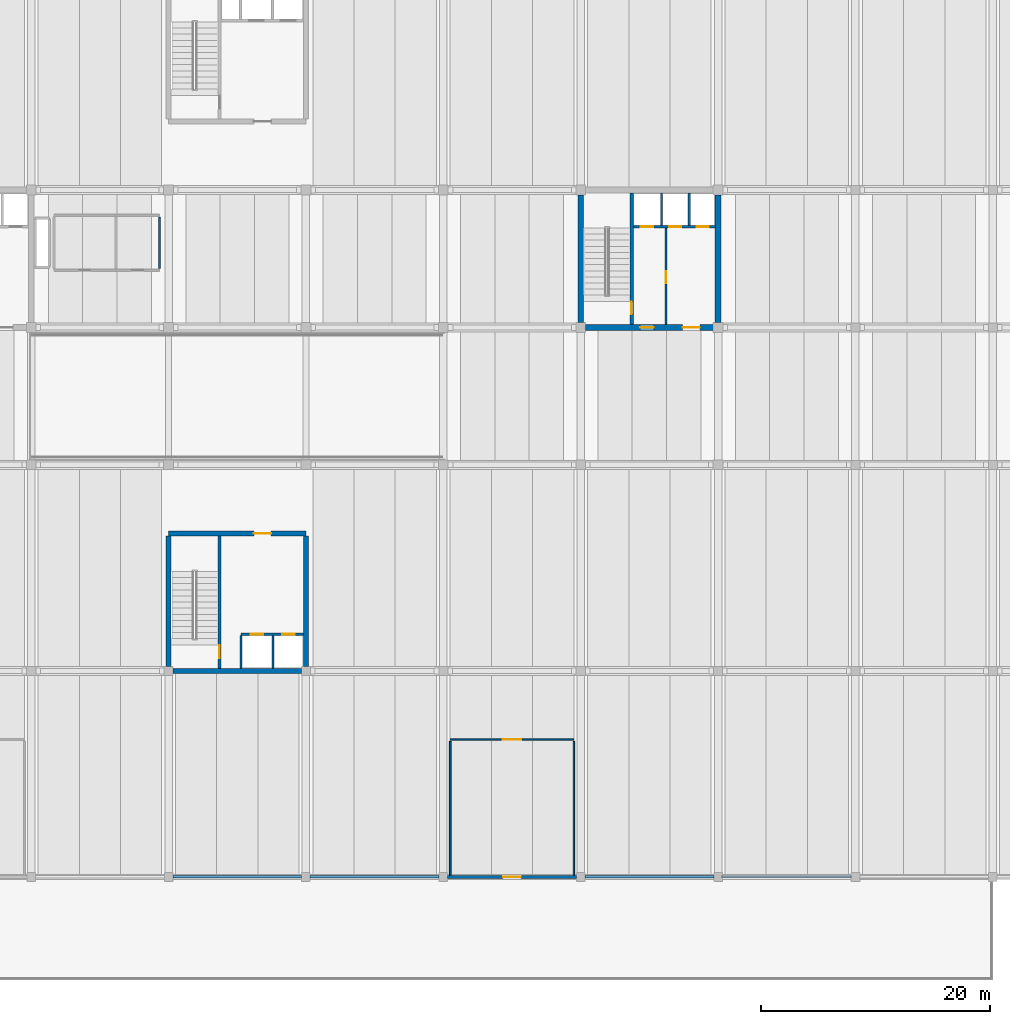
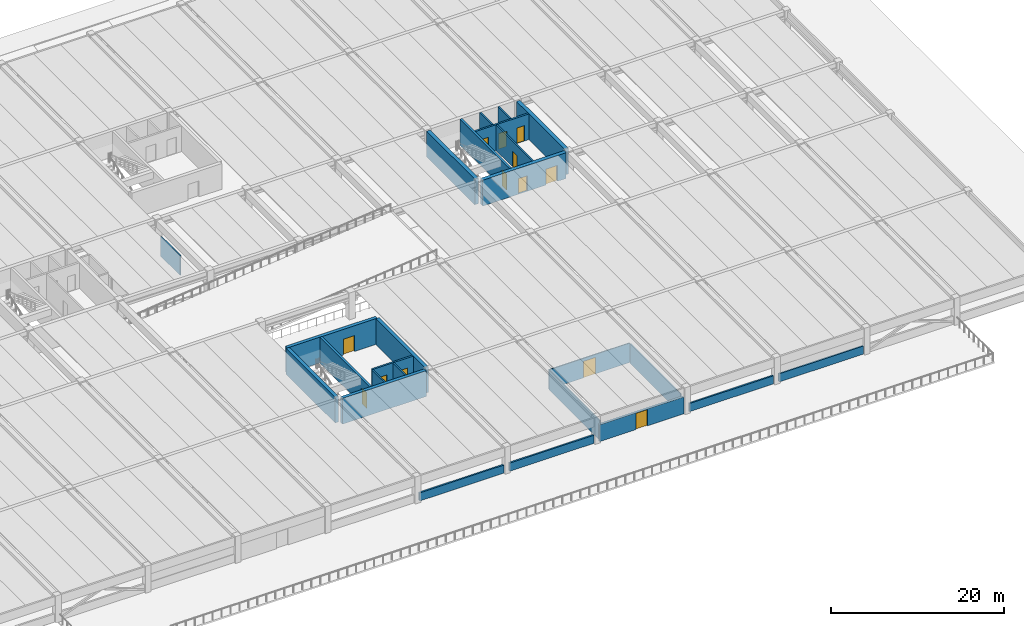
# One storey, part 8 of 16: 25 walls, 13 doors, 13 openings.
"""IFC4 building model written with IfcOpenShell, lengths in metres."""

import ifcopenshell
import ifcopenshell.guid

model = None  # the IFC model being written
_history = None  # IfcOwnerHistory: only IFC2X3 demands one
_inside = {}  # id of a spatial element -> (the spatial element, [elements in it])
_under = {}  # id of a project, library or spatial element -> (it, [spatial elements below it])
_declared = {}  # id of a project -> (the project, [libraries it declares])
_typed = {}  # id of a type object -> (the type object, [elements of that type])
_made_of = {}  # id of a material, layer set ... -> (it, [elements and type objects made of it])


def new_model(schema):
    """Start an empty IFC model of exactly this schema.

    Asked for "IFC4X3", IfcOpenShell would pick the latest addendum, in which some entities
    have other attributes; the version numbers below select the first issue.
    IFC2X3 requires an IfcOwnerHistory on every rooted entity: one is made here for all.
    """
    global model, _history
    if schema == "IFC4X3":
        model = ifcopenshell.file(schema_version=(4, 3, 0, 0))
    else:
        model = ifcopenshell.file(schema=schema)
    _inside.clear()
    _under.clear()
    _declared.clear()
    _typed.clear()
    _made_of.clear()
    _history = None
    if model.schema == "IFC2X3":
        org = make("IfcOrganization", Name="unknown")
        user = make(
            "IfcPersonAndOrganization",
            ThePerson=make("IfcPerson", FamilyName="unknown"),
            TheOrganization=org,
        )
        app = make(
            "IfcApplication",
            ApplicationDeveloper=org,
            Version="unknown",
            ApplicationFullName="unknown",
            ApplicationIdentifier="unknown",
        )
        _history = make(
            "IfcOwnerHistory",
            OwningUser=user,
            OwningApplication=app,
            ChangeAction="ADDED",
            CreationDate=0,
        )
    return model


def make(cls, **values):
    """One entity of the class cls with the attributes given. An attribute that is None is left unset."""
    return model.create_entity(
        cls, **{name: value for name, value in values.items() if value is not None}
    )


def rooted(cls, **values):
    """An entity with a GlobalId (a new one), such as an element, a storey or a relation."""
    return make(cls, GlobalId=ifcopenshell.guid.new(), OwnerHistory=_history, **values)


def si_unit(unit_type, name, prefix=None):
    """IfcSIUnit, for example si_unit("LENGTHUNIT", "METRE", prefix="MILLI")."""
    return make("IfcSIUnit", UnitType=unit_type, Prefix=prefix, Name=name)


def assignment(units):
    """IfcUnitAssignment: the units of a project."""
    return None if units is None else make("IfcUnitAssignment", Units=units)


def point(xyz):
    """IfcCartesianPoint."""
    return None if xyz is None else make("IfcCartesianPoint", Coordinates=xyz)


def direction(xyz):
    """IfcDirection."""
    return None if xyz is None else make("IfcDirection", DirectionRatios=xyz)


def frame(location, z_axis=None, x_axis=None):
    """IfcAxis2Placement3D, a coordinate frame: its origin and axes. An axis left out is left unset."""
    return make(
        "IfcAxis2Placement3D",
        Location=point(location),
        Axis=direction(z_axis),
        RefDirection=direction(x_axis),
    )


def frame_2d(location, x_axis=None):
    """IfcAxis2Placement2D, a coordinate frame in the plane: its origin and x axis."""
    return make(
        "IfcAxis2Placement2D", Location=point(location), RefDirection=direction(x_axis)
    )


def origin():
    """The frame at (0, 0, 0) with its axes left unset."""
    return frame((0.0, 0.0, 0.0))


def place(relative_to, where):
    """IfcLocalPlacement: puts the frame where relative to a parent placement (None: the world)."""
    return make(
        "IfcLocalPlacement", PlacementRelTo=relative_to, RelativePlacement=where
    )


def context(
    kind, dimensions, precision=None, world=None, true_north=None, identifier=None
):
    """IfcGeometricRepresentationContext, for example the 3D "Model" context."""
    return make(
        "IfcGeometricRepresentationContext",
        ContextIdentifier=identifier,
        ContextType=kind,
        CoordinateSpaceDimension=dimensions,
        Precision=precision,
        WorldCoordinateSystem=world,
        TrueNorth=true_north,
    )


def subcontext(parent, identifier, kind, view, scale=None):
    """IfcGeometricRepresentationSubContext, for example "Body" below "Model"."""
    return make(
        "IfcGeometricRepresentationSubContext",
        ContextIdentifier=identifier,
        ContextType=kind,
        ParentContext=parent,
        TargetScale=scale,
        TargetView=view,
    )


def project(units=None, contexts=None):
    """IfcProject with its units and contexts."""
    return rooted(
        "IfcProject",
        Name="project",
        RepresentationContexts=contexts,
        UnitsInContext=assignment(units),
    )


def spatial(cls, under=None, at=None, **own):
    """A site, building, storey or space (cls), placed at a placement, below another one or the project."""
    s = rooted(cls, ObjectPlacement=at, **own)
    if under is not None:
        _under.setdefault(under.id(), (under, []))[1].append(s)
    return s


def profile(cls, at=None, kind="AREA", **sizes):
    """A parametric profile (cls). Its sizes go by their IFC names, for example OverallWidth=200.0."""
    return make(cls, ProfileType=kind, Position=at, **sizes)


def rectangle(**sizes):
    """IfcRectangleProfileDef."""
    return profile("IfcRectangleProfileDef", **sizes)


def extrude(swept, where, along, depth):
    """IfcExtrudedAreaSolid: the profile swept, set in the frame where, extruded along a direction by depth."""
    return make(
        "IfcExtrudedAreaSolid",
        SweptArea=swept,
        Position=where,
        ExtrudedDirection=direction(along),
        Depth=depth,
    )


def shape(context_of_items, identifier, shape_type, items):
    """IfcShapeRepresentation: the items that make up one representation, for example the "Body"."""
    return make(
        "IfcShapeRepresentation",
        ContextOfItems=context_of_items,
        RepresentationIdentifier=identifier,
        RepresentationType=shape_type,
        Items=items,
    )


def material(Name=None, Category=None):
    """IfcMaterial."""
    return make("IfcMaterial", Name=Name, Category=Category)


def layer(
    of_material, thickness, ventilated=None, Name=None, Category=None, Priority=None
):
    """IfcMaterialLayer: one layer of a wall or slab, of a material (None: an air gap)."""
    return make(
        "IfcMaterialLayer",
        Material=of_material,
        LayerThickness=thickness,
        IsVentilated=ventilated,
        Name=Name,
        Category=Category,
        Priority=Priority,
    )


def layer_set(layers, Name=None):
    """IfcMaterialLayerSet."""
    return make("IfcMaterialLayerSet", MaterialLayers=layers, LayerSetName=Name)


def made_of(thing, what):
    """Note that an element or type object is made of a material, layer set ...; save() writes the relation."""
    if what is not None:
        _made_of.setdefault(what.id(), (what, []))[1].append(thing)
    return thing


def type_object(cls, material=None, **own):
    """A type object (cls), such as IfcWallType, which elements share."""
    return made_of(rooted(cls, **own), material)


def element(
    cls,
    number,
    at=None,
    inside=None,
    cuts=None,
    type_object=None,
    material=None,
    context=None,
    identifier="Body",
    shape_type=None,
    held_by="IfcProductDefinitionShape",
    body=None,
    shapes=None,
    **own,
):
    """One element of the class cls, such as IfcWall. Its Tag is "e" and its number.

    at: its placement. inside: the storey or other place that contains it. cuts: it is an
    opening in that element (IfcRelVoidsElement). A single representation is given by context,
    identifier, shape_type and body (its items); several are given by shapes. held_by: the class
    of the entity that holds the representations. save() writes the other relations.
    """
    e = rooted(cls, Tag="e%d" % number, ObjectPlacement=at, **own)
    if body is not None:
        shapes = [shape(context, identifier, shape_type, body)]
    if shapes is not None:
        e.Representation = make(held_by, Representations=shapes)
    if inside is not None:
        _inside.setdefault(inside.id(), (inside, []))[1].append(e)
    if cuts is not None:
        rooted(
            "IfcRelVoidsElement", RelatingBuildingElement=cuts, RelatedOpeningElement=e
        )
    if type_object is not None:
        _typed.setdefault(type_object.id(), (type_object, []))[1].append(e)
    return made_of(e, material)


def fill(opening, filler):
    """IfcRelFillsElement: the door or window that sits in an opening."""
    return rooted(
        "IfcRelFillsElement",
        RelatingOpeningElement=opening,
        RelatedBuildingElement=filler,
    )


def aggregate(whole, parts):
    """IfcRelAggregates: a whole, such as a stair, and the parts it consists of."""
    return rooted("IfcRelAggregates", RelatingObject=whole, RelatedObjects=parts)


def save(model, path):
    """Write the relations noted so far, then the file.

    IfcRelAggregates (storeys below a building ...), IfcRelContainedInSpatialStructure (elements
    in a storey), IfcRelDefinesByType, IfcRelAssociatesMaterial and IfcRelDeclares: one each for
    every whole, place, type object, material and project.
    """
    for whole, parts in _under.values():
        aggregate(whole, parts)
    for where, things in _inside.values():
        rooted(
            "IfcRelContainedInSpatialStructure",
            RelatedElements=things,
            RelatingStructure=where,
        )
    for kind, things in _typed.values():
        rooted("IfcRelDefinesByType", RelatedObjects=things, RelatingType=kind)
    for what, things in _made_of.values():
        rooted("IfcRelAssociatesMaterial", RelatedObjects=things, RelatingMaterial=what)
    for by, libraries in _declared.values():
        rooted("IfcRelDeclares", RelatingContext=by, RelatedDefinitions=libraries)
    model.write(path)


model = new_model("IFC4")

# Units and contexts
model_context = context("Model", 3, precision=1e-05, world=origin(), true_north=direction((0.0, 1.0)))
body_context = subcontext(model_context, "Body", "Model", "MODEL_VIEW")
ifc_project = project(units=[si_unit("LENGTHUNIT", "METRE"), si_unit("AREAUNIT", "SQUARE_METRE"), si_unit("VOLUMEUNIT", "CUBIC_METRE"), si_unit("PLANEANGLEUNIT", "RADIAN"), si_unit("MASSUNIT", "GRAM", prefix="KILO")], contexts=[model_context])

# Site, building, storey
site_placement = place(None, origin())
site = spatial("IfcSite", under=ifc_project, at=site_placement, CompositionType="ELEMENT")
building_placement = place(site_placement, origin())
building = spatial("IfcBuilding", under=site, at=building_placement, Name="Girod Span Mobility Hub", CompositionType="ELEMENT")
storey_placement = place(building_placement, frame((0.0, 0.0, 21.0)))
storey = spatial("IfcBuildingStorey", under=building, at=storey_placement, Name="L05", CompositionType="ELEMENT", Elevation=21.0)

# Wall
ifc_material_1 = material(Name="Concrete C40/50", Category="concrete")
ifc_layer_1 = layer(ifc_material_1, 0.449951171875)
ifc_layer_set_1 = layer_set([ifc_layer_1], Name="Concrete C40/50")
wall_type_1 = type_object("IfcWallType", Name="W-CW-450", PredefinedType="SHEAR", material=ifc_layer_set_1)
wall_1_placement = place(storey_placement, frame((72.39697265625, 27.0, 0.0), z_axis=(0.0, 0.0, 1.0), x_axis=(1.0, 0.0, 0.0)))
element("IfcWall", 1, at=wall_1_placement, inside=storey, type_object=wall_type_1, Name="Core C3 Shear Wall S L05", PredefinedType="SHEAR", context=body_context, shape_type="SweptSolid", body=[
    extrude(rectangle(XDim=11.2060546875, YDim=0.449951171875, at=frame_2d((5.60302734375, 0.0))), origin(), (0.0, 0.0, 1.0), 3.637939453125),
])

# Wall, opening, door
wall_2_placement = place(storey_placement, frame((72.0, 39.0, 0.0), z_axis=(0.0, 0.0, 1.0), x_axis=(1.0, 0.0, 0.0)))
wall_2 = element("IfcWall", 2, at=wall_2_placement, inside=storey, type_object=wall_type_1, Name="Core C3 Shear Wall N L05", PredefinedType="SHEAR", context=body_context, shape_type="SweptSolid", body=[
    extrude(rectangle(XDim=12.0, YDim=0.449951171875, at=frame_2d((6.0, 0.0))), origin(), (0.0, 0.0, 1.0), 3.637939453125),
])
opening_1_placement = place(wall_2_placement, frame((7.449951171875, 0.0, 0.0)))
opening_1 = element("IfcOpeningElement", 3, at=opening_1_placement, cuts=wall_2, Name="Opening D-LB-C3-L05", PredefinedType="OPENING", context=body_context, shape_type="SweptSolid", body=[
    extrude(rectangle(XDim=1.5, YDim=2.25, at=frame_2d((0.75, 1.125))), frame((0.0, 0.239990234375, 0.0), z_axis=(0.0, -1.0, 0.0), x_axis=(1.0, 0.0, 0.0)), (0.0, 0.0, 1.0), 0.47998046875),
])
ifc_material_2 = material(Name="Fire-Rated Insulated Hollow Metal Steel", Category="steel")
door_type_1 = type_object("IfcDoorType", Name="DT-FD-03", OperationType="DOUBLE_DOOR_SINGLE_SWING", PredefinedType="DOOR", material=ifc_material_2)
door_1_placement = place(opening_1_placement, origin())
door_1 = element("IfcDoor", 4, at=door_1_placement, inside=storey, type_object=door_type_1, Name="Core C3 Lobby Door L05", OperationType="DOUBLE_DOOR_SINGLE_SWING", OverallHeight=2.25, OverallWidth=1.5, PredefinedType="DOOR", context=body_context, shape_type="SweptSolid", body=[
    extrude(rectangle(XDim=1.5, YDim=2.25, at=frame_2d((0.75, 1.125))), frame((0.0, 0.02490234375, 0.0), z_axis=(0.0, -1.0, 0.0), x_axis=(1.0, 0.0, 0.0)), (0.0, 0.0, 1.0), 0.050048828125),
])
fill(opening_1, door_1)

# Walls
for number, where, z_axis, x_axis, name in (
    (5, (72.0, 27.39697265625, 0.0), (0.0, 0.0, 1.0), (0.0, 1.0, 0.0), "Core C3 Shear Wall W L05"),
    (6, (84.0, 27.39697265625, 0.0), (0.0, 0.0, 1.0), (0.0, 1.0, 0.0), "Core C3 Shear Wall E L05"),
):
    element("IfcWall", number, at=place(storey_placement, frame(where, z_axis=z_axis, x_axis=x_axis)), inside=storey, type_object=wall_type_1, Name=name, PredefinedType="SHEAR", context=body_context, shape_type="SweptSolid", body=[
        extrude(rectangle(XDim=11.381103515625, YDim=0.449951171875, at=frame_2d((5.6904296875, 0.0))), origin(), (0.0, 0.0, 1.0), 3.637939453125),
    ])

# Wall, openings, doors
ifc_material_3 = material(Name="Concrete C40/50", Category="concrete")
ifc_layer_2 = layer(ifc_material_3, 0.5)
ifc_layer_set_2 = layer_set([ifc_layer_2], Name="Concrete C40/50")
wall_type_2 = type_object("IfcWallType", Name="W-CW-500", PredefinedType="SHEAR", material=ifc_layer_set_2)
wall_3_placement = place(storey_placement, frame((108.422119140625, 57.0, 0.0), z_axis=(0.0, 0.0, 1.0), x_axis=(1.0, 0.0, 0.0)))
wall_3 = element("IfcWall", 7, at=wall_3_placement, inside=storey, type_object=wall_type_2, Name="Core C2 Shear Wall S L05", PredefinedType="SHEAR", context=body_context, shape_type="SweptSolid", body=[
    extrude(rectangle(XDim=11.15576171875, YDim=0.5, at=frame_2d((5.577880859375, 0.0))), origin(), (0.0, 0.0, 1.0), 3.637939453125),
])
opening_2_placement = place(wall_3_placement, frame((4.778076171875, 0.0, 0.0)))
opening_2 = element("IfcOpeningElement", 8, at=opening_2_placement, cuts=wall_3, Name="Opening D-FL-C2-L05", PredefinedType="OPENING", context=body_context, shape_type="SweptSolid", body=[
    extrude(rectangle(XDim=1.199951171875, YDim=2.199951171875, at=frame_2d((0.60009765625, 1.10009765625))), frame((0.0, 0.264892578125, 0.0), z_axis=(0.0, -1.0, 0.0), x_axis=(1.0, 0.0, 0.0)), (0.0, 0.0, 1.0), 0.530029296875),
])
opening_3_placement = place(wall_3_placement, frame((8.47802734375, 0.0, 0.0)))
opening_3 = element("IfcOpeningElement", 9, at=opening_3_placement, cuts=wall_3, Name="Opening D-LB-C2-L05", PredefinedType="OPENING", context=body_context, shape_type="SweptSolid", body=[
    extrude(rectangle(XDim=1.5, YDim=2.25, at=frame_2d((0.75, 1.125))), frame((0.0, 0.264892578125, 0.0), z_axis=(0.0, -1.0, 0.0), x_axis=(1.0, 0.0, 0.0)), (0.0, 0.0, 1.0), 0.530029296875),
])
door_2_placement = place(opening_3_placement, origin())
door_2 = element("IfcDoor", 10, at=door_2_placement, inside=storey, type_object=door_type_1, Name="Lift Lobby Entry Door C2 L05", OperationType="DOUBLE_DOOR_SINGLE_SWING", OverallHeight=2.25, OverallWidth=1.5, PredefinedType="DOOR", context=body_context, shape_type="SweptSolid", body=[
    extrude(rectangle(XDim=1.5, YDim=2.25, at=frame_2d((0.75, 1.125))), frame((0.0, 0.02490234375, 0.0), z_axis=(0.0, -1.0, 0.0), x_axis=(1.0, 0.0, 0.0)), (0.0, 0.0, 1.0), 0.050048828125),
])
fill(opening_3, door_2)
ifc_material_4 = material(Name="Fire-Rated Insulated Hollow Metal Steel", Category="steel")
door_type_2 = type_object("IfcDoorType", Name="DT-FD-05", OperationType="NOTDEFINED", PredefinedType="DOOR", material=ifc_material_4)
door_3_placement = place(opening_2_placement, origin())
door_3 = element("IfcDoor", 11, at=door_3_placement, inside=storey, type_object=door_type_2, Name="Firefighting Lobby Entry Door C2 L05", OperationType="SINGLE_SWING_RIGHT", OverallHeight=2.199951171875, OverallWidth=1.199951171875, PredefinedType="DOOR", context=body_context, shape_type="SweptSolid", body=[
    extrude(rectangle(XDim=1.199951171875, YDim=2.199951171875, at=frame_2d((0.60009765625, 1.10009765625))), frame((0.0, 0.02490234375, 0.0), z_axis=(0.0, -1.0, 0.0), x_axis=(1.0, 0.0, 0.0)), (0.0, 0.0, 1.0), 0.050048828125),
])
fill(opening_2, door_3)

# Walls
for number, where, z_axis, x_axis, name in (
    (12, (108.0, 57.422119140625, 0.0), (0.0, 0.0, 1.0), (0.0, 1.0, 0.0), "Core C2 Shear Wall W L05"),
    (13, (120.0, 57.422119140625, 0.0), (0.0, 0.0, 1.0), (0.0, 1.0, 0.0), "Core C2 Shear Wall E L05"),
):
    element("IfcWall", number, at=place(storey_placement, frame(where, z_axis=z_axis, x_axis=x_axis)), inside=storey, type_object=wall_type_2, Name=name, PredefinedType="SHEAR", context=body_context, shape_type="SweptSolid", body=[
        extrude(rectangle(XDim=11.15576171875, YDim=0.5, at=frame_2d((5.577880859375, 0.0))), origin(), (0.0, 0.0, 1.0), 3.637939453125),
    ])

# Wall, opening, door
ifc_material_5 = material(Name="Precast Architectural Concrete C40/50", Category="concrete")
ifc_layer_3 = layer(ifc_material_5, 0.2900390625)
ifc_layer_set_3 = layer_set([ifc_layer_3], Name="Precast Architectural Concrete C40/50")
wall_type_3 = type_object("IfcWallType", Name="W-EXT-290", PredefinedType="SOLIDWALL", material=ifc_layer_set_3)
wall_4_placement = place(storey_placement, frame((96.373046875, 9.0, 0.0), z_axis=(0.0, 0.0, 1.0), x_axis=(1.0, 0.0, 0.0)))
wall_4 = element("IfcWall", 14, at=wall_4_placement, inside=storey, type_object=wall_type_3, Name="L05 Terrace Lounge Exterior Wall 8", PredefinedType="SOLIDWALL", context=body_context, shape_type="SweptSolid", body=[
    extrude(rectangle(XDim=11.25390625, YDim=0.2900390625, at=frame_2d((5.626953125, 0.0))), origin(), (0.0, 0.0, 1.0), 2.385009765625),
])
opening_4_placement = place(wall_4_placement, frame((4.846923828125, 0.0, 0.0)))
opening_4 = element("IfcOpeningElement", 15, at=opening_4_placement, cuts=wall_4, Name="Opening D-L05-T8", PredefinedType="OPENING", context=body_context, shape_type="SweptSolid", body=[
    extrude(rectangle(XDim=1.56005859375, YDim=2.300048828125, at=frame_2d((0.780029296875, 1.14990234375))), frame((0.0, 0.159912109375, 0.0), z_axis=(0.0, -1.0, 0.0), x_axis=(1.0, 0.0, 0.0)), (0.0, 0.0, 1.0), 0.320068359375),
])
ifc_material_6 = material(Name="Thermally Broken Anodised Aluminium", Category="aluminium")
door_type_3 = type_object("IfcDoorType", Name="DR-EXT-08", OperationType="DOUBLE_DOOR_SINGLE_SWING", PredefinedType="DOOR", material=ifc_material_6)
door_4_placement = place(opening_4_placement, origin())
door_4 = element("IfcDoor", 16, at=door_4_placement, inside=storey, type_object=door_type_3, Name="L05 South Podium Terrace Door 8", OperationType="DOUBLE_DOOR_SINGLE_SWING", OverallHeight=2.300048828125, OverallWidth=1.56005859375, PredefinedType="DOOR", context=body_context, shape_type="SweptSolid", body=[
    extrude(rectangle(XDim=1.56005859375, YDim=2.300048828125, at=frame_2d((0.780029296875, 1.14990234375))), frame((0.0, 0.02490234375, 0.0), z_axis=(0.0, -1.0, 0.0), x_axis=(1.0, 0.0, 0.0)), (0.0, 0.0, 1.0), 0.050048828125),
])
fill(opening_4, door_4)

ifc_material_7 = material(Name="Concrete C40/50", Category="concrete")
ifc_layer_4 = layer(ifc_material_7, 0.18994140625)
ifc_layer_set_4 = layer_set([ifc_layer_4], Name="Concrete C40/50")
wall_type_4 = type_object("IfcWallType", Name="W-FL-190", PredefinedType="SOLIDWALL", material=ifc_layer_set_4)
wall_5_placement = place(storey_placement, frame((115.449951171875, 57.25, 0.0), z_axis=(0.0, 0.0, 1.0), x_axis=(0.0, 1.0, 0.0)))
wall_5 = element("IfcWall", 17, at=wall_5_placement, inside=storey, type_object=wall_type_4, Name="Core C2 Firefighting Lobby Wall L05", PredefinedType="SOLIDWALL", context=body_context, shape_type="SweptSolid", body=[
    extrude(rectangle(XDim=8.429931640625, YDim=0.18994140625, at=frame_2d((4.21484375, 0.0))), origin(), (0.0, 0.0, 1.0), 3.6279296875),
])
opening_5_placement = place(wall_5_placement, frame((3.60009765625, 0.0, 0.0)))
opening_5 = element("IfcOpeningElement", 18, at=opening_5_placement, cuts=wall_5, Name="Opening D-FLX-C2-L05", PredefinedType="OPENING", context=body_context, shape_type="SweptSolid", body=[
    extrude(rectangle(XDim=1.0400390625, YDim=2.179931640625, at=frame_2d((0.52001953125, 1.08984375))), frame((0.0, 0.10986328125, 0.0), z_axis=(0.0, -1.0, 0.0), x_axis=(1.0, 0.0, 0.0)), (0.0, 0.0, 1.0), 0.219970703125),
])
ifc_material_8 = material(Name="Fire-Rated Insulated Hollow Metal Steel", Category="steel")
door_type_4 = type_object("IfcDoorType", Name="DT-FD-02", OperationType="NOTDEFINED", PredefinedType="DOOR", material=ifc_material_8)
door_5_placement = place(opening_5_placement, origin())
door_5 = element("IfcDoor", 19, at=door_5_placement, inside=storey, type_object=door_type_4, Name="Firefighting Lobby Interconnect Door C2 L05", OperationType="SINGLE_SWING_RIGHT", OverallHeight=2.179931640625, OverallWidth=1.0400390625, PredefinedType="DOOR", context=body_context, shape_type="SweptSolid", body=[
    extrude(rectangle(XDim=1.0400390625, YDim=2.179931640625, at=frame_2d((0.52001953125, 1.08984375))), frame((0.0, 0.02490234375, 0.0), z_axis=(0.0, -1.0, 0.0), x_axis=(1.0, 0.0, 0.0)), (0.0, 0.0, 1.0), 0.050048828125),
])
fill(opening_5, door_5)

# Walls
ifc_material_9 = material(Name="Precast Architectural Concrete C40/50", Category="concrete")
ifc_layer_5 = layer(ifc_material_9, 0.215087890625)
ifc_layer_set_5 = layer_set([ifc_layer_5], Name="Precast Architectural Concrete C40/50")
wall_type_5 = type_object("IfcWallType", Name="W-PAR-215", PredefinedType="PARAPET", material=ifc_layer_set_5)
for number, where, z_axis, x_axis, name in (
    (20, (72.373046875, 9.0, 0.0), (0.0, 0.0, 1.0), (1.0, 0.0, 0.0), "Precast Parking Barrier Parapet S-7 L05"),
    (21, (84.373046875, 9.0, 0.0), (0.0, 0.0, 1.0), (1.0, 0.0, 0.0), "Precast Parking Barrier Parapet S-8 L05"),
    (22, (108.373046875, 9.0, 0.0), (0.0, 0.0, 1.0), (1.0, 0.0, 0.0), "Precast Parking Barrier Parapet S-10 L05"),
    (23, (120.373046875, 9.0, 0.0), (0.0, 0.0, 1.0), (1.0, 0.0, 0.0), "Precast Parking Barrier Parapet S-11 L05"),
):
    element("IfcWall", number, at=place(storey_placement, frame(where, z_axis=z_axis, x_axis=x_axis)), inside=storey, type_object=wall_type_5, Name=name, PredefinedType="PARAPET", context=body_context, shape_type="SweptSolid", body=[
        extrude(rectangle(XDim=11.25390625, YDim=0.215087890625, at=frame_2d((5.626953125, 0.0))), origin(), (0.0, 0.0, 1.0), 1.14990234375),
    ])
ifc_material_10 = material(Name="Fire-Rated Gypsum Board on Metal Studs", Category="gypsum")
ifc_layer_6 = layer(ifc_material_10, 0.155029296875)
ifc_layer_set_6 = layer_set([ifc_layer_6], Name="Fire-Rated Gypsum Board on Metal Studs")
wall_type_6 = type_object("IfcWallType", Name="W-PLB-155", PredefinedType="PLUMBINGWALL", material=ifc_layer_set_6)
wall_6_placement = place(storey_placement, frame((71.199951171875, 62.159912109375, 0.0), z_axis=(0.0, 0.0, 1.0), x_axis=(0.0, 1.0, 0.0)))
element("IfcWall", 24, at=wall_6_placement, inside=storey, type_object=wall_type_6, Name="Accessible WC L05 Partition E", PredefinedType="PLUMBINGWALL", context=body_context, shape_type="SweptSolid", body=[
    extrude(rectangle(XDim=4.47998046875, YDim=0.155029296875, at=frame_2d((2.239990234375, 0.0))), origin(), (0.0, 0.0, 1.0), 2.75),
])

# Wall, opening, door
ifc_material_11 = material(Name="Fire-Rated Gypsum Board on Metal Studs", Category="gypsum")
ifc_layer_7 = layer(ifc_material_11, 0.139892578125)
ifc_layer_set_7 = layer_set([ifc_layer_7], Name="Fire-Rated Gypsum Board on Metal Studs")
wall_type_7 = type_object("IfcWallType", Name="W-PT-140", PredefinedType="PARTITIONING", material=ifc_layer_set_7)
wall_7_placement = place(storey_placement, frame((96.60009765625, 21.0, 0.0), z_axis=(0.0, 0.0, 1.0), x_axis=(1.0, 0.0, 0.0)))
wall_7 = element("IfcWall", 25, at=wall_7_placement, inside=storey, type_object=wall_type_7, Name="Shared Mobility Lounge East Partition N", PredefinedType="PARTITIONING", context=body_context, shape_type="SweptSolid", body=[
    extrude(rectangle(XDim=10.7998046875, YDim=0.139892578125, at=frame_2d((5.39990234375, 0.0))), origin(), (0.0, 0.0, 1.0), 2.75),
])
opening_6_placement = place(wall_7_placement, frame((4.594970703125, 0.0, 0.0)))
opening_6 = element("IfcOpeningElement", 26, at=opening_6_placement, cuts=wall_7, Name="Opening D-L05-TLG-E", PredefinedType="OPENING", context=body_context, shape_type="SweptSolid", body=[
    extrude(rectangle(XDim=1.610107421875, YDim=2.330078125, at=frame_2d((0.80517578125, 1.1650390625))), frame((0.0, 0.0849609375, 0.0), z_axis=(0.0, -1.0, 0.0), x_axis=(1.0, 0.0, 0.0)), (0.0, 0.0, 1.0), 0.169921875),
])
ifc_material_12 = material(Name="Solid-Core Architectural Timber", Category="wood")
door_type_5 = type_object("IfcDoorType", Name="DT-NR-15", OperationType="DOUBLE_DOOR_SINGLE_SWING", PredefinedType="DOOR", material=ifc_material_12)
door_6_placement = place(opening_6_placement, origin())
door_6 = element("IfcDoor", 27, at=door_6_placement, inside=storey, type_object=door_type_5, Name="Shared Mobility Lounge East Door", OperationType="DOUBLE_DOOR_SINGLE_SWING", OverallHeight=2.330078125, OverallWidth=1.610107421875, PredefinedType="DOOR", context=body_context, shape_type="SweptSolid", body=[
    extrude(rectangle(XDim=1.610107421875, YDim=2.330078125, at=frame_2d((0.80517578125, 1.1650390625))), frame((0.0, 0.02490234375, 0.0), z_axis=(0.0, -1.0, 0.0), x_axis=(1.0, 0.0, 0.0)), (0.0, 0.0, 1.0), 0.050048828125),
])
fill(opening_6, door_6)

# Walls
for number, where, z_axis, x_axis, name in (
    (28, (96.60009765625, 9.139892578125, 0.0), (0.0, 0.0, 1.0), (0.0, 1.0, 0.0), "Shared Mobility Lounge East Partition W"),
    (29, (107.39990234375, 9.139892578125, 0.0), (0.0, 0.0, 1.0), (0.0, 1.0, 0.0), "Shared Mobility Lounge East Partition E"),
):
    element("IfcWall", number, at=place(storey_placement, frame(where, z_axis=z_axis, x_axis=x_axis)), inside=storey, type_object=wall_type_7, Name=name, PredefinedType="PARTITIONING", context=body_context, shape_type="SweptSolid", body=[
        extrude(rectangle(XDim=11.7001953125, YDim=0.139892578125, at=frame_2d((5.85009765625, 0.0))), origin(), (0.0, 0.0, 1.0), 2.75),
    ])
ifc_material_13 = material(Name="Concrete C40/50", Category="concrete")
ifc_layer_8 = layer(ifc_material_13, 0.199951171875)
ifc_layer_set_8 = layer_set([ifc_layer_8], Name="Concrete C40/50")
wall_type_8 = type_object("IfcWallType", Name="W-SH-200", PredefinedType="SOLIDWALL", material=ifc_layer_set_8)
for number, where, z_axis, x_axis, name in (
    (30, (115.050048828125, 65.919921875, 0.0), (0.0, 0.0, 1.0), (0.0, 1.0, 0.0), "Core C2 Shaft Divider 1 L05"),
    (31, (117.47998046875, 65.919921875, 0.0), (0.0, 0.0, 1.0), (0.0, 1.0, 0.0), "Core C2 Shaft Divider 2 L05"),
):
    element("IfcWall", number, at=place(storey_placement, frame(where, z_axis=z_axis, x_axis=x_axis)), inside=storey, type_object=wall_type_8, Name=name, PredefinedType="SOLIDWALL", context=body_context, shape_type="SweptSolid", body=[
        extrude(rectangle(XDim=2.830078125, YDim=0.199951171875, at=frame_2d((1.4150390625, 0.0))), origin(), (0.0, 0.0, 1.0), 3.6279296875),
    ])
for number, where, z_axis, x_axis, name in (
    (32, (78.320068359375, 27.22509765625, 0.0), (0.0, 0.0, 1.0), (0.0, 1.0, 0.0), "Core C3 Shaft Divider 1 L05"),
    (33, (81.1201171875, 27.22509765625, 0.0), (0.0, 0.0, 1.0), (0.0, 1.0, 0.0), "Core C3 Shaft Divider 2 L05"),
):
    element("IfcWall", number, at=place(storey_placement, frame(where, z_axis=z_axis, x_axis=x_axis)), inside=storey, type_object=wall_type_8, Name=name, PredefinedType="SOLIDWALL", context=body_context, shape_type="SweptSolid", body=[
        extrude(rectangle(XDim=2.85498046875, YDim=0.199951171875, at=frame_2d((1.427490234375, 0.0))), origin(), (0.0, 0.0, 1.0), 3.6279296875),
    ])

# Wall, openings, doors
ifc_material_14 = material(Name="Concrete C40/50", Category="concrete")
ifc_layer_9 = layer(ifc_material_14, 0.25)
ifc_layer_set_9 = layer_set([ifc_layer_9], Name="Concrete C40/50")
wall_type_9 = type_object("IfcWallType", Name="W-SH-250", PredefinedType="SOLIDWALL", material=ifc_layer_set_9)
wall_8_placement = place(storey_placement, frame((112.596923828125, 65.800048828125, 0.0), z_axis=(0.0, 0.0, 1.0), x_axis=(1.0, 0.0, 0.0)))
wall_8 = element("IfcWall", 34, at=wall_8_placement, inside=storey, type_object=wall_type_9, Name="Core C2 Hoistway Front Wall L05", PredefinedType="SOLIDWALL", context=body_context, shape_type="SweptSolid", body=[
    extrude(rectangle(XDim=7.156005859375, YDim=0.25, at=frame_2d((3.578125, 0.0))), origin(), (0.0, 0.0, 1.0), 3.637939453125),
])
opening_7_placement = place(wall_8_placement, frame((0.653076171875, 0.0, 0.0)))
opening_7 = element("IfcOpeningElement", 35, at=opening_7_placement, cuts=wall_8, Name="Opening LD-FL-2-L05", PredefinedType="OPENING", context=body_context, shape_type="SweptSolid", body=[
    extrude(rectangle(XDim=1.10009765625, YDim=2.239990234375, at=frame_2d((0.550048828125, 1.1201171875))), frame((0.0, 0.139892578125, 0.0), z_axis=(0.0, -1.0, 0.0), x_axis=(1.0, 0.0, 0.0)), (0.0, 0.0, 1.0), 0.280029296875),
])
opening_8_placement = place(wall_8_placement, frame((3.153076171875, 0.0, 0.0)))
opening_8 = element("IfcOpeningElement", 36, at=opening_8_placement, cuts=wall_8, Name="Opening LD-LP-3-L05", PredefinedType="OPENING", context=body_context, shape_type="SweptSolid", body=[
    extrude(rectangle(XDim=1.050048828125, YDim=2.199951171875, at=frame_2d((0.52490234375, 1.10009765625))), frame((0.0, 0.139892578125, 0.0), z_axis=(0.0, -1.0, 0.0), x_axis=(1.0, 0.0, 0.0)), (0.0, 0.0, 1.0), 0.280029296875),
])
opening_9_placement = place(wall_8_placement, frame((5.528076171875, 0.0, 0.0)))
opening_9 = element("IfcOpeningElement", 37, at=opening_9_placement, cuts=wall_8, Name="Opening LD-LP-4-L05", PredefinedType="OPENING", context=body_context, shape_type="SweptSolid", body=[
    extrude(rectangle(XDim=1.050048828125, YDim=2.199951171875, at=frame_2d((0.52490234375, 1.10009765625))), frame((0.0, 0.139892578125, 0.0), z_axis=(0.0, -1.0, 0.0), x_axis=(1.0, 0.0, 0.0)), (0.0, 0.0, 1.0), 0.280029296875),
])
ifc_material_15 = material(Name="Brushed Stainless Steel Grade 304", Category="steel")
door_type_6 = type_object("IfcDoorType", Name="LD-FL-110", OperationType="SLIDING_TO_LEFT", PredefinedType="USERDEFINED", material=ifc_material_15)
door_7_placement = place(opening_7_placement, origin())
door_7 = element("IfcDoor", 38, at=door_7_placement, inside=storey, type_object=door_type_6, Name="Lift FL-2 Sliding Landing Door L05", ObjectType="LANDING DOOR", OperationType="SLIDING_TO_LEFT", OverallHeight=2.239990234375, OverallWidth=1.10009765625, PredefinedType="USERDEFINED", context=body_context, shape_type="SweptSolid", body=[
    extrude(rectangle(XDim=1.10009765625, YDim=2.239990234375, at=frame_2d((0.550048828125, 1.1201171875))), frame((0.0, 0.02490234375, 0.0), z_axis=(0.0, -1.0, 0.0), x_axis=(1.0, 0.0, 0.0)), (0.0, 0.0, 1.0), 0.050048828125),
])
fill(opening_7, door_7)
ifc_material_16 = material(Name="Brushed Stainless Steel Grade 304", Category="steel")
door_type_7 = type_object("IfcDoorType", Name="LD-LP-105", OperationType="SLIDING_TO_LEFT", PredefinedType="USERDEFINED", material=ifc_material_16)
door_8_placement = place(opening_8_placement, origin())
door_8 = element("IfcDoor", 39, at=door_8_placement, inside=storey, type_object=door_type_7, Name="Lift LP-3 Sliding Landing Door L05", ObjectType="LANDING DOOR", OperationType="SLIDING_TO_LEFT", OverallHeight=2.199951171875, OverallWidth=1.050048828125, PredefinedType="USERDEFINED", context=body_context, shape_type="SweptSolid", body=[
    extrude(rectangle(XDim=1.050048828125, YDim=2.199951171875, at=frame_2d((0.52490234375, 1.10009765625))), frame((0.0, 0.02490234375, 0.0), z_axis=(0.0, -1.0, 0.0), x_axis=(1.0, 0.0, 0.0)), (0.0, 0.0, 1.0), 0.050048828125),
])
fill(opening_8, door_8)
door_9_placement = place(opening_9_placement, origin())
door_9 = element("IfcDoor", 40, at=door_9_placement, inside=storey, type_object=door_type_7, Name="Lift LP-4 Sliding Landing Door L05", ObjectType="LANDING DOOR", OperationType="SLIDING_TO_LEFT", OverallHeight=2.199951171875, OverallWidth=1.050048828125, PredefinedType="USERDEFINED", context=body_context, shape_type="SweptSolid", body=[
    extrude(rectangle(XDim=1.050048828125, YDim=2.199951171875, at=frame_2d((0.52490234375, 1.10009765625))), frame((0.0, 0.02490234375, 0.0), z_axis=(0.0, -1.0, 0.0), x_axis=(1.0, 0.0, 0.0)), (0.0, 0.0, 1.0), 0.050048828125),
])
fill(opening_9, door_9)

wall_9_placement = place(storey_placement, frame((78.320068359375, 30.199951171875, 0.0), z_axis=(0.0, 0.0, 1.0), x_axis=(1.0, 0.0, 0.0)))
wall_9 = element("IfcWall", 41, at=wall_9_placement, inside=storey, type_object=wall_type_9, Name="Core C3 Hoistway Front Wall L05", PredefinedType="SOLIDWALL", context=body_context, shape_type="SweptSolid", body=[
    extrude(rectangle(XDim=5.4580078125, YDim=0.25, at=frame_2d((2.72900390625, 0.0))), origin(), (0.0, 0.0, 1.0), 3.637939453125),
])
opening_10_placement = place(wall_9_placement, frame((0.860107421875, 0.0, 0.0)))
opening_10 = element("IfcOpeningElement", 42, at=opening_10_placement, cuts=wall_9, Name="Opening LD-LP-5-L05", PredefinedType="OPENING", context=body_context, shape_type="SweptSolid", body=[
    extrude(rectangle(XDim=1.080078125, YDim=2.219970703125, at=frame_2d((0.5400390625, 1.10986328125))), frame((0.0, 0.139892578125, 0.0), z_axis=(0.0, -1.0, 0.0), x_axis=(1.0, 0.0, 0.0)), (0.0, 0.0, 1.0), 0.280029296875),
])
opening_11_placement = place(wall_9_placement, frame((3.610107421875, 0.0, 0.0)))
opening_11 = element("IfcOpeningElement", 43, at=opening_11_placement, cuts=wall_9, Name="Opening LD-LP-6-L05", PredefinedType="OPENING", context=body_context, shape_type="SweptSolid", body=[
    extrude(rectangle(XDim=1.080078125, YDim=2.219970703125, at=frame_2d((0.5400390625, 1.10986328125))), frame((0.0, 0.139892578125, 0.0), z_axis=(0.0, -1.0, 0.0), x_axis=(1.0, 0.0, 0.0)), (0.0, 0.0, 1.0), 0.280029296875),
])
ifc_material_17 = material(Name="Brushed Stainless Steel Grade 304", Category="steel")
door_type_8 = type_object("IfcDoorType", Name="LD-LP-108", OperationType="SLIDING_TO_LEFT", PredefinedType="USERDEFINED", material=ifc_material_17)
door_10_placement = place(opening_10_placement, origin())
door_10 = element("IfcDoor", 44, at=door_10_placement, inside=storey, type_object=door_type_8, Name="Lift LP-5 Sliding Landing Door L05", ObjectType="LANDING DOOR", OperationType="SLIDING_TO_LEFT", OverallHeight=2.219970703125, OverallWidth=1.080078125, PredefinedType="USERDEFINED", context=body_context, shape_type="SweptSolid", body=[
    extrude(rectangle(XDim=1.080078125, YDim=2.219970703125, at=frame_2d((0.5400390625, 1.10986328125))), frame((0.0, 0.02490234375, 0.0), z_axis=(0.0, -1.0, 0.0), x_axis=(1.0, 0.0, 0.0)), (0.0, 0.0, 1.0), 0.050048828125),
])
fill(opening_10, door_10)
door_11_placement = place(opening_11_placement, origin())
door_11 = element("IfcDoor", 45, at=door_11_placement, inside=storey, type_object=door_type_8, Name="Lift LP-6 Sliding Landing Door L05", ObjectType="LANDING DOOR", OperationType="SLIDING_TO_LEFT", OverallHeight=2.219970703125, OverallWidth=1.080078125, PredefinedType="USERDEFINED", context=body_context, shape_type="SweptSolid", body=[
    extrude(rectangle(XDim=1.080078125, YDim=2.219970703125, at=frame_2d((0.5400390625, 1.10986328125))), frame((0.0, 0.02490234375, 0.0), z_axis=(0.0, -1.0, 0.0), x_axis=(1.0, 0.0, 0.0)), (0.0, 0.0, 1.0), 0.050048828125),
])
fill(opening_11, door_11)

# Wall, opening, door
ifc_material_18 = material(Name="Concrete C40/50", Category="concrete")
ifc_layer_10 = layer(ifc_material_18, 0.300048828125)
ifc_layer_set_10 = layer_set([ifc_layer_10], Name="Concrete C40/50")
wall_type_10 = type_object("IfcWallType", Name="W-SH-300", PredefinedType="SHEAR", material=ifc_layer_set_10)
wall_10_placement = place(storey_placement, frame((112.449951171875, 57.2470703125, 0.0), z_axis=(0.0, 0.0, 1.0), x_axis=(0.0, 1.0, 0.0)))
wall_10 = element("IfcWall", 46, at=wall_10_placement, inside=storey, type_object=wall_type_10, Name="Core C2 Stairwell Spine Wall L05", PredefinedType="SHEAR", context=body_context, shape_type="SweptSolid", body=[
    extrude(rectangle(XDim=11.505859375, YDim=0.300048828125, at=frame_2d((5.7529296875, 0.0))), origin(), (0.0, 0.0, 1.0), 3.637939453125),
])
opening_12_placement = place(wall_10_placement, frame((0.89990234375, 0.0, 0.0)))
opening_12 = element("IfcOpeningElement", 47, at=opening_12_placement, cuts=wall_10, Name="Opening D-ST-2-L05", PredefinedType="OPENING", context=body_context, shape_type="SweptSolid", body=[
    extrude(rectangle(XDim=1.10009765625, YDim=2.199951171875, at=frame_2d((0.550048828125, 1.10009765625))), frame((0.0, 0.1650390625, 0.0), z_axis=(0.0, -1.0, 0.0), x_axis=(1.0, 0.0, 0.0)), (0.0, 0.0, 1.0), 0.330078125),
])
ifc_material_19 = material(Name="Fire-Rated Insulated Hollow Metal Steel", Category="steel")
door_type_9 = type_object("IfcDoorType", Name="DT-FD-01", OperationType="NOTDEFINED", PredefinedType="DOOR", material=ifc_material_19)
door_12_placement = place(opening_12_placement, origin())
door_12 = element("IfcDoor", 48, at=door_12_placement, inside=storey, type_object=door_type_9, Name="Stair ST-2 Fire Door L05", OperationType="SINGLE_SWING_LEFT", OverallHeight=2.199951171875, OverallWidth=1.10009765625, PredefinedType="DOOR", context=body_context, shape_type="SweptSolid", body=[
    extrude(rectangle(XDim=1.10009765625, YDim=2.199951171875, at=frame_2d((0.550048828125, 1.10009765625))), frame((0.0, 0.02490234375, 0.0), z_axis=(0.0, -1.0, 0.0), x_axis=(1.0, 0.0, 0.0)), (0.0, 0.0, 1.0), 0.050048828125),
])
fill(opening_12, door_12)

wall_11_placement = place(storey_placement, frame((76.449951171875, 27.221923828125, 0.0), z_axis=(0.0, 0.0, 1.0), x_axis=(0.0, 1.0, 0.0)))
wall_11 = element("IfcWall", 49, at=wall_11_placement, inside=storey, type_object=wall_type_10, Name="Core C3 Stairwell Spine Wall L05", PredefinedType="SHEAR", context=body_context, shape_type="SweptSolid", body=[
    extrude(rectangle(XDim=11.55615234375, YDim=0.300048828125, at=frame_2d((5.778076171875, 0.0))), origin(), (0.0, 0.0, 1.0), 3.637939453125),
])
opening_13_placement = place(wall_11_placement, frame((0.89990234375, 0.0, 0.0)))
opening_13 = element("IfcOpeningElement", 50, at=opening_13_placement, cuts=wall_11, Name="Opening D-ST-3-L05", PredefinedType="OPENING", context=body_context, shape_type="SweptSolid", body=[
    extrude(rectangle(XDim=1.10009765625, YDim=2.199951171875, at=frame_2d((0.550048828125, 1.10009765625))), frame((0.0, 0.1650390625, 0.0), z_axis=(0.0, -1.0, 0.0), x_axis=(1.0, 0.0, 0.0)), (0.0, 0.0, 1.0), 0.330078125),
])
door_13_placement = place(opening_13_placement, origin())
door_13 = element("IfcDoor", 51, at=door_13_placement, inside=storey, type_object=door_type_9, Name="Stair ST-3 Fire Door L05", OperationType="SINGLE_SWING_LEFT", OverallHeight=2.199951171875, OverallWidth=1.10009765625, PredefinedType="DOOR", context=body_context, shape_type="SweptSolid", body=[
    extrude(rectangle(XDim=1.10009765625, YDim=2.199951171875, at=frame_2d((0.550048828125, 1.10009765625))), frame((0.0, 0.02490234375, 0.0), z_axis=(0.0, -1.0, 0.0), x_axis=(1.0, 0.0, 0.0)), (0.0, 0.0, 1.0), 0.050048828125),
])
fill(opening_13, door_13)

save(model, "model.ifc")
